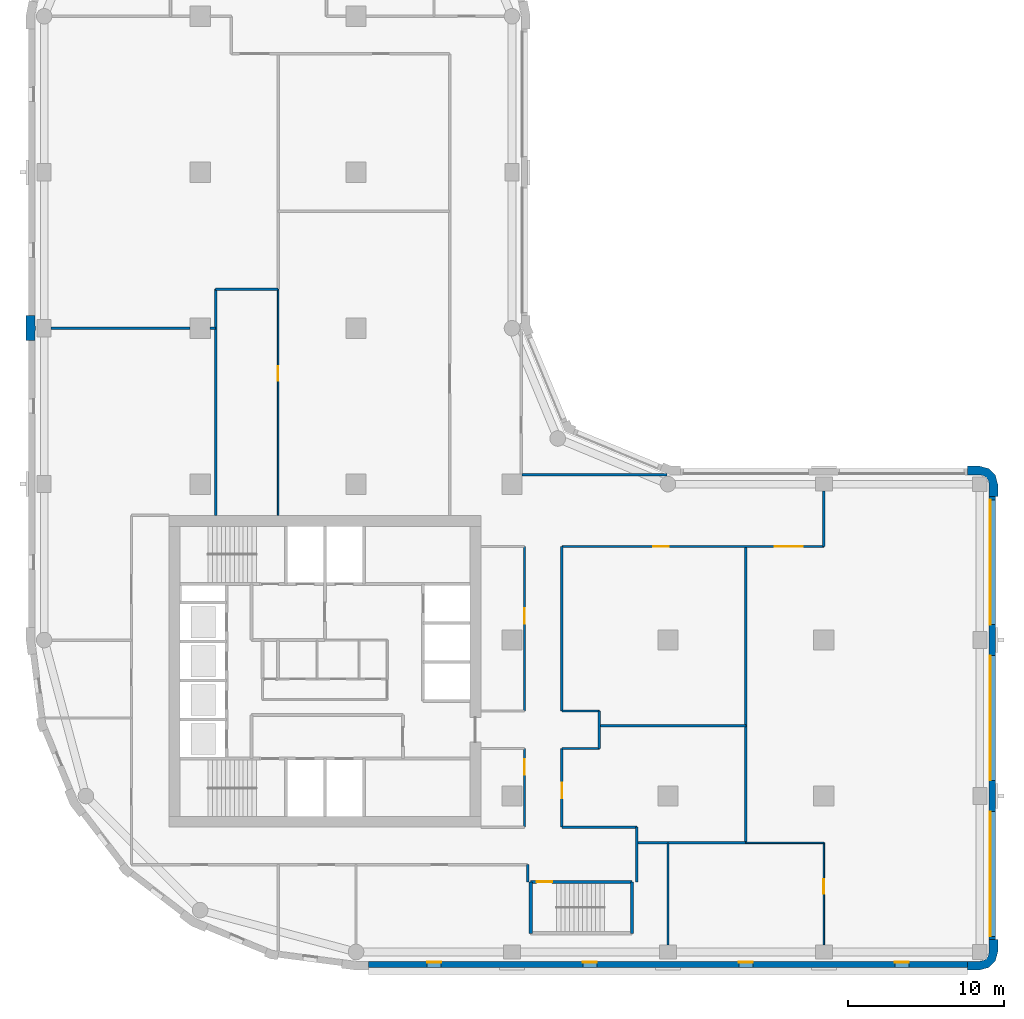
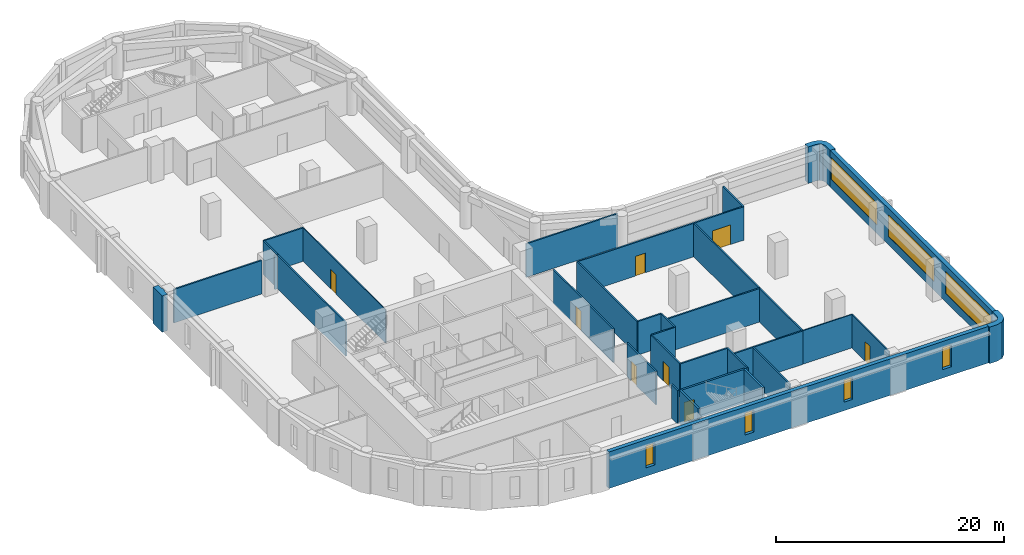
# One storey, part 4 of 9: 32 walls, 8 doors, 7 windows, 15 openings.
"""IFC4 building model written with IfcOpenShell, lengths in metres."""

from ifc_helpers import new_model, si_unit, direction, frame, frame_2d, origin, place, context, subcontext, project, spatial, polyline, rectangle, outline, extrude, material, layer, layer_set, type_object, element, fill, save


model = new_model("IFC4")

# Units and contexts
model_context = context("Model", 3, precision=1e-05, world=origin(), true_north=direction((0.0, 1.0)))
body_context = subcontext(model_context, "Body", "Model", "MODEL_VIEW")
ifc_project = project(units=[si_unit("LENGTHUNIT", "METRE"), si_unit("AREAUNIT", "SQUARE_METRE"), si_unit("VOLUMEUNIT", "CUBIC_METRE"), si_unit("PLANEANGLEUNIT", "RADIAN"), si_unit("MASSUNIT", "GRAM", prefix="KILO")], contexts=[model_context])

# Site, building, storey
site_placement = place(None, origin())
site = spatial("IfcSite", under=ifc_project, at=site_placement, CompositionType="ELEMENT")
building_placement = place(site_placement, origin())
building = spatial("IfcBuilding", under=site, at=building_placement, Name="Qaws Garden Tower", CompositionType="ELEMENT")
storey_placement = place(building_placement, frame((0.0, 0.0, 131.699951171875)))
storey = spatial("IfcBuildingStorey", under=building, at=storey_placement, Name="L31", CompositionType="ELEMENT", Elevation=131.699951171875)

# Walls
ifc_material_1 = material(Name="Clay facing brick masonry", Category="masonry")
ifc_layer_1 = layer(ifc_material_1, 0.550048828125)
ifc_layer_set_1 = layer_set([ifc_layer_1], Name="Clay facing brick masonry")
wall_type_1 = type_object("IfcWallType", Name="Brick corner pier 550 x 2400", PredefinedType="SOLIDWALL", material=ifc_layer_set_1)
placement = place(storey_placement, origin())
element("IfcWall", 1, at=placement, inside=storey, type_object=wall_type_1, Name="E-L31-pier-04", PredefinedType="SOLIDWALL", context=body_context, shape_type="SweptSolid", body=[
    extrude(outline(polyline([(59.199951171875, -1.0), (59.199951171875, -1.14990234375), (60.0, -1.14990234375), (60.574951171875, -0.995849609375), (60.995849609375, -0.574951171875), (61.14990234375, 0.0), (61.14990234375, 0.800048828125), (61.0, 0.800048828125), (60.60009765625, 0.800048828125), (60.60009765625, 0.0), (60.51953125, -0.300048828125), (60.300048828125, -0.51953125), (60.0, -0.60009765625), (59.199951171875, -0.60009765625), (59.199951171875, -1.0)])), origin(), (0.0, 0.0, 1.0), 3.900146484375),
])
element("IfcWall", 2, at=placement, inside=storey, type_object=wall_type_1, Name="E-L31-pier-07", PredefinedType="SOLIDWALL", context=body_context, shape_type="SweptSolid", body=[
    extrude(outline(polyline([(61.0, 29.199951171875), (61.14990234375, 29.199951171875), (61.14990234375, 30.0), (60.995849609375, 30.574951171875), (60.574951171875, 30.995849609375), (60.0, 31.14990234375), (59.199951171875, 31.14990234375), (59.199951171875, 31.0), (59.199951171875, 30.60009765625), (60.0, 30.60009765625), (60.300048828125, 30.51953125), (60.51953125, 30.300048828125), (60.60009765625, 30.0), (60.60009765625, 29.199951171875), (61.0, 29.199951171875)])), origin(), (0.0, 0.0, 1.0), 3.900146484375),
])

# Wall, openings, windows
ifc_material_2 = material(Name="Clay facing brick masonry", Category="masonry")
ifc_layer_2 = layer(ifc_material_2, 0.39990234375)
ifc_layer_set_2 = layer_set([ifc_layer_2], Name="Clay facing brick masonry")
wall_type_2 = type_object("IfcWallType", Name="Brick infill wall 400", PredefinedType="SOLIDWALL", material=ifc_layer_set_2)
wall_3_placement = place(storey_placement, frame((20.800048828125, -0.800048828125, 0.0), z_axis=(0.0, 0.0, 1.0), x_axis=(1.0, 0.0, 0.0)))
wall_3 = element("IfcWall", 3, at=wall_3_placement, inside=storey, type_object=wall_type_2, Name="E-L31-infill-00", PredefinedType="SOLIDWALL", context=body_context, shape_type="SweptSolid", body=[
    extrude(rectangle(XDim=38.39990234375, YDim=0.39990234375, at=frame_2d((19.199951171875, 0.0))), origin(), (0.0, 0.0, 1.0), 3.900146484375),
])
opening_1_placement = place(wall_3_placement, frame((3.75, 0.0, 0.89990234375)))
opening_1 = element("IfcOpeningElement", 4, at=opening_1_placement, cuts=wall_3, Name="Opening W09", PredefinedType="OPENING", context=body_context, shape_type="SweptSolid", body=[
    extrude(rectangle(XDim=0.89990234375, YDim=2.35009765625, at=frame_2d((0.449951171875, 1.175048828125))), frame((0.0, 0.2099609375, 0.0), z_axis=(0.0, -1.0, 0.0), x_axis=(1.0, 0.0, 0.0)), (0.0, 0.0, 1.0), 0.419921875),
])
opening_2_placement = place(wall_3_placement, frame((13.75, 0.0, 0.89990234375)))
opening_2 = element("IfcOpeningElement", 5, at=opening_2_placement, cuts=wall_3, Name="Opening W09", PredefinedType="OPENING", context=body_context, shape_type="SweptSolid", body=[
    extrude(rectangle(XDim=0.89990234375, YDim=2.35009765625, at=frame_2d((0.449951171875, 1.175048828125))), frame((0.0, 0.2099609375, 0.0), z_axis=(0.0, -1.0, 0.0), x_axis=(1.0, 0.0, 0.0)), (0.0, 0.0, 1.0), 0.419921875),
])
opening_3_placement = place(wall_3_placement, frame((23.75, 0.0, 0.89990234375)))
opening_3 = element("IfcOpeningElement", 6, at=opening_3_placement, cuts=wall_3, Name="Opening W09", PredefinedType="OPENING", context=body_context, shape_type="SweptSolid", body=[
    extrude(rectangle(XDim=0.89990234375, YDim=2.35009765625, at=frame_2d((0.449951171875, 1.175048828125))), frame((0.0, 0.2099609375, 0.0), z_axis=(0.0, -1.0, 0.0), x_axis=(1.0, 0.0, 0.0)), (0.0, 0.0, 1.0), 0.419921875),
])
opening_4_placement = place(wall_3_placement, frame((33.75, 0.0, 0.89990234375)))
opening_4 = element("IfcOpeningElement", 7, at=opening_4_placement, cuts=wall_3, Name="Opening W09", PredefinedType="OPENING", context=body_context, shape_type="SweptSolid", body=[
    extrude(rectangle(XDim=0.89990234375, YDim=2.35009765625, at=frame_2d((0.449951171875, 1.175048828125))), frame((0.0, 0.2099609375, 0.0), z_axis=(0.0, -1.0, 0.0), x_axis=(1.0, 0.0, 0.0)), (0.0, 0.0, 1.0), 0.419921875),
])
ifc_material_3 = material(Name="Aluminium framed window, clear glazing", Category="aluminium")
window_type_1 = type_object("IfcWindowType", Name="Slit window 900 x 2350", PartitioningType="SINGLE_PANEL", PredefinedType="WINDOW", material=ifc_material_3)
window_1_placement = place(opening_1_placement, origin())
window_1 = element("IfcWindow", 8, at=window_1_placement, inside=storey, type_object=window_type_1, Name="E-L31-window-00-0", OverallHeight=2.35009765625, OverallWidth=0.89990234375, PartitioningType="SINGLE_PANEL", PredefinedType="WINDOW", context=body_context, shape_type="SweptSolid", body=[
    extrude(rectangle(XDim=0.89990234375, YDim=2.35009765625, at=frame_2d((0.449951171875, 1.175048828125))), frame((0.0, 0.159912109375, 0.0), z_axis=(0.0, -1.0, 0.0), x_axis=(1.0, 0.0, 0.0)), (0.0, 0.0, 1.0), 0.06005859375),
])
fill(opening_1, window_1)
window_2_placement = place(opening_2_placement, origin())
window_2 = element("IfcWindow", 9, at=window_2_placement, inside=storey, type_object=window_type_1, Name="E-L31-window-01-0", OverallHeight=2.35009765625, OverallWidth=0.89990234375, PartitioningType="SINGLE_PANEL", PredefinedType="WINDOW", context=body_context, shape_type="SweptSolid", body=[
    extrude(rectangle(XDim=0.89990234375, YDim=2.35009765625, at=frame_2d((0.449951171875, 1.175048828125))), frame((0.0, 0.159912109375, 0.0), z_axis=(0.0, -1.0, 0.0), x_axis=(1.0, 0.0, 0.0)), (0.0, 0.0, 1.0), 0.06005859375),
])
fill(opening_2, window_2)
window_3_placement = place(opening_3_placement, origin())
window_3 = element("IfcWindow", 10, at=window_3_placement, inside=storey, type_object=window_type_1, Name="E-L31-window-02-0", OverallHeight=2.35009765625, OverallWidth=0.89990234375, PartitioningType="SINGLE_PANEL", PredefinedType="WINDOW", context=body_context, shape_type="SweptSolid", body=[
    extrude(rectangle(XDim=0.89990234375, YDim=2.35009765625, at=frame_2d((0.449951171875, 1.175048828125))), frame((0.0, 0.159912109375, 0.0), z_axis=(0.0, -1.0, 0.0), x_axis=(1.0, 0.0, 0.0)), (0.0, 0.0, 1.0), 0.06005859375),
])
fill(opening_3, window_3)
window_4_placement = place(opening_4_placement, origin())
window_4 = element("IfcWindow", 11, at=window_4_placement, inside=storey, type_object=window_type_1, Name="E-L31-window-03-0", OverallHeight=2.35009765625, OverallWidth=0.89990234375, PartitioningType="SINGLE_PANEL", PredefinedType="WINDOW", context=body_context, shape_type="SweptSolid", body=[
    extrude(rectangle(XDim=0.89990234375, YDim=2.35009765625, at=frame_2d((0.449951171875, 1.175048828125))), frame((0.0, 0.159912109375, 0.0), z_axis=(0.0, -1.0, 0.0), x_axis=(1.0, 0.0, 0.0)), (0.0, 0.0, 1.0), 0.06005859375),
])
fill(opening_4, window_4)

wall_4_placement = place(storey_placement, frame((60.800048828125, 0.800048828125, 0.0), z_axis=(0.0, 0.0, 1.0), x_axis=(0.0, 1.0, 0.0)))
wall_4 = element("IfcWall", 12, at=wall_4_placement, inside=storey, type_object=wall_type_2, Name="E-L31-infill-04", PredefinedType="SOLIDWALL", context=body_context, shape_type="SweptSolid", body=[
    extrude(rectangle(XDim=28.39990234375, YDim=0.39990234375, at=frame_2d((14.199951171875, 0.0))), origin(), (0.0, 0.0, 1.0), 3.900146484375),
])
opening_5_placement = place(wall_4_placement, frame((0.199951171875, 0.0, 0.89990234375)))
opening_5 = element("IfcOpeningElement", 13, at=opening_5_placement, cuts=wall_4, Name="Opening W01", PredefinedType="OPENING", context=body_context, shape_type="SweptSolid", body=[
    extrude(rectangle(XDim=8.0, YDim=2.35009765625, at=frame_2d((4.0, 1.175048828125))), frame((0.0, 0.2099609375, 0.0), z_axis=(0.0, -1.0, 0.0), x_axis=(1.0, 0.0, 0.0)), (0.0, 0.0, 1.0), 0.419921875),
])
opening_6_placement = place(wall_4_placement, frame((10.199951171875, 0.0, 0.89990234375)))
opening_6 = element("IfcOpeningElement", 14, at=opening_6_placement, cuts=wall_4, Name="Opening W01", PredefinedType="OPENING", context=body_context, shape_type="SweptSolid", body=[
    extrude(rectangle(XDim=8.0, YDim=2.35009765625, at=frame_2d((4.0, 1.175048828125))), frame((0.0, 0.2099609375, 0.0), z_axis=(0.0, -1.0, 0.0), x_axis=(1.0, 0.0, 0.0)), (0.0, 0.0, 1.0), 0.419921875),
])
opening_7_placement = place(wall_4_placement, frame((20.199951171875, 0.0, 0.89990234375)))
opening_7 = element("IfcOpeningElement", 15, at=opening_7_placement, cuts=wall_4, Name="Opening W01", PredefinedType="OPENING", context=body_context, shape_type="SweptSolid", body=[
    extrude(rectangle(XDim=8.0, YDim=2.35009765625, at=frame_2d((4.0, 1.175048828125))), frame((0.0, 0.2099609375, 0.0), z_axis=(0.0, -1.0, 0.0), x_axis=(1.0, 0.0, 0.0)), (0.0, 0.0, 1.0), 0.419921875),
])
ifc_material_4 = material(Name="Aluminium framed window, clear glazing", Category="aluminium")
window_type_2 = type_object("IfcWindowType", Name="Ribbon window 8000 x 2350", PartitioningType="DOUBLE_PANEL_VERTICAL", PredefinedType="WINDOW", material=ifc_material_4)
window_5_placement = place(opening_5_placement, origin())
window_5 = element("IfcWindow", 16, at=window_5_placement, inside=storey, type_object=window_type_2, Name="E-L31-window-04-0", OverallHeight=2.35009765625, OverallWidth=8.0, PartitioningType="SINGLE_PANEL", PredefinedType="WINDOW", context=body_context, shape_type="SweptSolid", body=[
    extrude(rectangle(XDim=8.0, YDim=2.35009765625, at=frame_2d((4.0, 1.175048828125))), frame((0.0, 0.159912109375, 0.0), z_axis=(0.0, -1.0, 0.0), x_axis=(1.0, 0.0, 0.0)), (0.0, 0.0, 1.0), 0.06005859375),
])
fill(opening_5, window_5)
window_6_placement = place(opening_6_placement, origin())
window_6 = element("IfcWindow", 17, at=window_6_placement, inside=storey, type_object=window_type_2, Name="E-L31-window-05-0", OverallHeight=2.35009765625, OverallWidth=8.0, PartitioningType="SINGLE_PANEL", PredefinedType="WINDOW", context=body_context, shape_type="SweptSolid", body=[
    extrude(rectangle(XDim=8.0, YDim=2.35009765625, at=frame_2d((4.0, 1.175048828125))), frame((0.0, 0.159912109375, 0.0), z_axis=(0.0, -1.0, 0.0), x_axis=(1.0, 0.0, 0.0)), (0.0, 0.0, 1.0), 0.06005859375),
])
fill(opening_6, window_6)
window_7_placement = place(opening_7_placement, origin())
window_7 = element("IfcWindow", 18, at=window_7_placement, inside=storey, type_object=window_type_2, Name="E-L31-window-06-0", OverallHeight=2.35009765625, OverallWidth=8.0, PartitioningType="SINGLE_PANEL", PredefinedType="WINDOW", context=body_context, shape_type="SweptSolid", body=[
    extrude(rectangle(XDim=8.0, YDim=2.35009765625, at=frame_2d((4.0, 1.175048828125))), frame((0.0, 0.159912109375, 0.0), z_axis=(0.0, -1.0, 0.0), x_axis=(1.0, 0.0, 0.0)), (0.0, 0.0, 1.0), 0.06005859375),
])
fill(opening_7, window_7)

# Wall
ifc_material_5 = material(Name="Clay facing brick masonry", Category="masonry")
ifc_layer_3 = layer(ifc_material_5, 0.550048828125)
ifc_layer_set_3 = layer_set([ifc_layer_3], Name="Clay facing brick masonry")
wall_type_3 = type_object("IfcWallType", Name="Brick pier 550 x 1600", PredefinedType="SOLIDWALL", material=ifc_layer_set_3)
element("IfcWall", 19, at=placement, inside=storey, type_object=wall_type_3, Name="E-L31-pier-23", PredefinedType="SOLIDWALL", context=body_context, shape_type="SweptSolid", body=[
    extrude(outline(polyline([(-0.60009765625, 39.199951171875), (-0.60009765625, 39.85009765625), (-0.550048828125, 39.85009765625), (-0.550048828125, 40.14990234375), (-0.60009765625, 40.14990234375), (-0.60009765625, 40.800048828125), (-1.0, 40.800048828125), (-1.14990234375, 40.800048828125), (-1.14990234375, 40.0), (-1.14990234375, 39.199951171875), (-1.0, 39.199951171875), (-0.60009765625, 39.199951171875)])), origin(), (0.0, 0.0, 1.0), 3.900146484375),
])

# Wall, opening, door
ifc_material_6 = material(Name="Concrete C70", Category="concrete")
ifc_layer_4 = layer(ifc_material_6, 0.199951171875)
ifc_layer_set_4 = layer_set([ifc_layer_4], Name="Concrete C70")
wall_type_4 = type_object("IfcWallType", Name="Core shaft wall 200 C70", PredefinedType="SHEAR", material=ifc_layer_set_4)
wall_6_placement = place(storey_placement, frame((31.199951171875, 4.5, 0.0), z_axis=(0.0, 0.0, 1.0), x_axis=(1.0, 0.0, 0.0)))
wall_6 = element("IfcWall", 20, at=wall_6_placement, inside=storey, type_object=wall_type_4, Name="Shaft wall", PredefinedType="SHEAR", context=body_context, shape_type="SweptSolid", body=[
    extrude(rectangle(XDim=6.5, YDim=0.199951171875, at=frame_2d((3.25, 0.0))), origin(), (0.0, 0.0, 1.0), 3.580078125),
])
opening_8_placement = place(wall_6_placement, frame((0.375, 0.0, 0.0)))
opening_8 = element("IfcOpeningElement", 21, at=opening_8_placement, cuts=wall_6, Name="Opening SD12", PredefinedType="OPENING", context=body_context, shape_type="SweptSolid", body=[
    extrude(rectangle(XDim=1.0, YDim=2.10009765625, at=frame_2d((0.5, 1.050048828125))), frame((0.0, 0.10986328125, 0.0), z_axis=(0.0, -1.0, 0.0), x_axis=(1.0, 0.0, 0.0)), (0.0, 0.0, 1.0), 0.219970703125),
])
ifc_material_7 = material(Name="Steel S235", Category="steel")
door_type_1 = type_object("IfcDoorType", Name="Stair door 1000x2100", OperationType="SINGLE_SWING_RIGHT", PredefinedType="DOOR", material=ifc_material_7)
door_1_placement = place(opening_8_placement, frame((1.0, 0.0, 0.0), z_axis=(0.0, 0.0, 1.0), x_axis=(-1.0, 0.0, 0.0)))
door_1 = element("IfcDoor", 22, at=door_1_placement, inside=storey, type_object=door_type_1, Name="Stair 5 door", OperationType="SINGLE_SWING_RIGHT", OverallHeight=2.10009765625, OverallWidth=1.0, PredefinedType="DOOR", context=body_context, shape_type="SweptSolid", body=[
    extrude(rectangle(XDim=1.0, YDim=2.10009765625, at=frame_2d((0.5, 1.050048828125))), frame((0.0, 0.02490234375, 0.0), z_axis=(0.0, -1.0, 0.0), x_axis=(1.0, 0.0, 0.0)), (0.0, 0.0, 1.0), 0.050048828125),
])
fill(opening_8, door_1)

# Walls
for number, where, z_axis, x_axis, name in (
    (23, (31.199951171875, 1.199951171875, 0.0), (0.0, 0.0, 1.0), (0.0, 1.0, 0.0), "Shaft wall"),
    (24, (37.699951171875, 1.199951171875, 0.0), (0.0, 0.0, 1.0), (0.0, 1.0, 0.0), "Shaft wall"),
):
    element("IfcWall", number, at=place(storey_placement, frame(where, z_axis=z_axis, x_axis=x_axis)), inside=storey, type_object=wall_type_4, Name=name, PredefinedType="SHEAR", context=body_context, shape_type="SweptSolid", body=[
        extrude(rectangle(XDim=3.300048828125, YDim=0.199951171875, at=frame_2d((1.64990234375, 0.0))), origin(), (0.0, 0.0, 1.0), 3.580078125),
    ])

# Wall, opening, door
ifc_material_8 = material(Name="Gypsum board partition")
ifc_layer_5 = layer(ifc_material_8, 0.10009765625)
ifc_layer_set_5 = layer_set([ifc_layer_5], Name="Gypsum board partition")
wall_type_5 = type_object("IfcWallType", Name="PARTITION 100", PredefinedType="PARTITIONING", material=ifc_layer_set_5)
wall_7_placement = place(storey_placement, frame((15.0, 28.0, 0.0), z_axis=(0.0, 0.0, 1.0), x_axis=(0.0, 1.0, 0.0)))
wall_7 = element("IfcWall", 25, at=wall_7_placement, inside=storey, type_object=wall_type_5, Name="O-L31-wall-001", PredefinedType="PARTITIONING", context=body_context, shape_type="SweptSolid", body=[
    extrude(rectangle(XDim=14.5, YDim=0.10009765625, at=frame_2d((7.25, 0.0))), origin(), (0.0, 0.0, 1.0), 3.580078125),
])
opening_9_placement = place(wall_7_placement, frame((8.625, 0.0, 0.0)))
opening_9 = element("IfcOpeningElement", 26, at=opening_9_placement, cuts=wall_7, Name="Opening B120", PredefinedType="OPENING", context=body_context, shape_type="SweptSolid", body=[
    extrude(rectangle(XDim=0.949951171875, YDim=2.10009765625, at=frame_2d((0.47509765625, 1.050048828125))), frame((0.0, 0.06005859375, 0.0), z_axis=(0.0, -1.0, 0.0), x_axis=(1.0, 0.0, 0.0)), (0.0, 0.0, 1.0), 0.1201171875),
])
ifc_material_9 = material(Name="Timber and glass door leaf", Category="wood")
door_type_2 = type_object("IfcDoorType", Name="GLAZED DOOR 950 X 2100", OperationType="SINGLE_SWING_LEFT", PredefinedType="DOOR", material=ifc_material_9)
door_2_placement = place(opening_9_placement, origin())
door_2 = element("IfcDoor", 27, at=door_2_placement, inside=storey, type_object=door_type_2, Name="O-L31-door-020", OperationType="SINGLE_SWING_LEFT", OverallHeight=2.10009765625, OverallWidth=0.949951171875, PredefinedType="DOOR", context=body_context, shape_type="SweptSolid", body=[
    extrude(rectangle(XDim=0.949951171875, YDim=2.10009765625, at=frame_2d((0.47509765625, 1.050048828125))), frame((0.0, 0.02490234375, 0.0), z_axis=(0.0, -1.0, 0.0), x_axis=(1.0, 0.0, 0.0)), (0.0, 0.0, 1.0), 0.050048828125),
])
fill(opening_9, door_2)

wall_8_placement = place(storey_placement, frame((50.0, 0.449951171875, 0.0), z_axis=(0.0, 0.0, 1.0), x_axis=(0.0, 1.0, 0.0)))
wall_8 = element("IfcWall", 28, at=wall_8_placement, inside=storey, type_object=wall_type_5, Name="O-L31-wall-002", PredefinedType="PARTITIONING", context=body_context, shape_type="SweptSolid", body=[
    extrude(rectangle(XDim=6.550048828125, YDim=0.10009765625, at=frame_2d((3.27490234375, 0.0))), origin(), (0.0, 0.0, 1.0), 3.580078125),
])
opening_10_placement = place(wall_8_placement, frame((3.27490234375, 0.0, 0.0)))
opening_10 = element("IfcOpeningElement", 29, at=opening_10_placement, cuts=wall_8, Name="Opening B119", PredefinedType="OPENING", context=body_context, shape_type="SweptSolid", body=[
    extrude(rectangle(XDim=0.949951171875, YDim=2.10009765625, at=frame_2d((0.47509765625, 1.050048828125))), frame((0.0, 0.06005859375, 0.0), z_axis=(0.0, -1.0, 0.0), x_axis=(1.0, 0.0, 0.0)), (0.0, 0.0, 1.0), 0.1201171875),
])
door_3_placement = place(opening_10_placement, origin())
door_3 = element("IfcDoor", 30, at=door_3_placement, inside=storey, type_object=door_type_2, Name="O-L31-door-019", OperationType="SINGLE_SWING_RIGHT", OverallHeight=2.10009765625, OverallWidth=0.949951171875, PredefinedType="DOOR", context=body_context, shape_type="SweptSolid", body=[
    extrude(rectangle(XDim=0.949951171875, YDim=2.10009765625, at=frame_2d((0.47509765625, 1.050048828125))), frame((0.0, 0.02490234375, 0.0), z_axis=(0.0, -1.0, 0.0), x_axis=(1.0, 0.0, 0.0)), (0.0, 0.0, 1.0), 0.050048828125),
])
fill(opening_10, door_3)

# Walls
wall_9_placement = place(storey_placement, frame((45.0, 7.0, 0.0), z_axis=(0.0, 0.0, 1.0), x_axis=(1.0, 0.0, 0.0)))
element("IfcWall", 31, at=wall_9_placement, inside=storey, type_object=wall_type_5, Name="O-L31-wall-003", PredefinedType="PARTITIONING", context=body_context, shape_type="SweptSolid", body=[
    extrude(rectangle(XDim=5.0, YDim=0.10009765625, at=frame_2d((2.5, 0.0))), origin(), (0.0, 0.0, 1.0), 3.580078125),
])
ifc_material_10 = material(Name="Gypsum board partition")
ifc_layer_6 = layer(ifc_material_10, 0.14990234375)
ifc_layer_set_6 = layer_set([ifc_layer_6], Name="Gypsum board partition")
wall_type_6 = type_object("IfcWallType", Name="PARTITION 150 EI 60", PredefinedType="PARTITIONING", material=ifc_layer_set_6)
wall_10_placement = place(storey_placement, frame((11.0, 28.0, 0.0), z_axis=(0.0, 0.0, 1.0), x_axis=(0.0, 1.0, 0.0)))
element("IfcWall", 32, at=wall_10_placement, inside=storey, type_object=wall_type_6, Name="O-L31-wall-006", PredefinedType="PARTITIONING", context=body_context, shape_type="SweptSolid", body=[
    extrude(rectangle(XDim=14.5, YDim=0.14990234375, at=frame_2d((7.25, 0.0))), origin(), (0.0, 0.0, 1.0), 3.580078125),
])

# Wall, opening, door
wall_11_placement = place(storey_placement, frame((30.800048828125, 8.0, 0.0), z_axis=(0.0, 0.0, 1.0), x_axis=(0.0, 1.0, 0.0)))
wall_11 = element("IfcWall", 33, at=wall_11_placement, inside=storey, type_object=wall_type_6, Name="O-L31-wall-015", PredefinedType="PARTITIONING", context=body_context, shape_type="SweptSolid", body=[
    extrude(rectangle(XDim=5.050048828125, YDim=0.14990234375, at=frame_2d((2.52490234375, 0.0))), origin(), (0.0, 0.0, 1.0), 3.580078125),
])
opening_11_placement = place(wall_11_placement, frame((3.35009765625, 0.0, 0.0)))
opening_11 = element("IfcOpeningElement", 34, at=opening_11_placement, cuts=wall_11, Name="Opening B116", PredefinedType="OPENING", context=body_context, shape_type="SweptSolid", body=[
    extrude(rectangle(XDim=1.0, YDim=2.10009765625, at=frame_2d((0.5, 1.050048828125))), frame((0.0, 0.0849609375, 0.0), z_axis=(0.0, -1.0, 0.0), x_axis=(1.0, 0.0, 0.0)), (0.0, 0.0, 1.0), 0.169921875),
])
ifc_material_11 = material(Name="Timber door leaf", Category="wood")
door_type_3 = type_object("IfcDoorType", Name="TENANCY ENTRANCE DOOR 1000 X 2100", OperationType="SINGLE_SWING_LEFT", PredefinedType="DOOR", material=ifc_material_11)
door_4_placement = place(opening_11_placement, origin())
door_4 = element("IfcDoor", 35, at=door_4_placement, inside=storey, type_object=door_type_3, Name="O-L31-door-016", OperationType="SINGLE_SWING_RIGHT", OverallHeight=2.10009765625, OverallWidth=1.0, PredefinedType="DOOR", context=body_context, shape_type="SweptSolid", body=[
    extrude(rectangle(XDim=1.0, YDim=2.10009765625, at=frame_2d((0.5, 1.050048828125))), frame((0.0, 0.02490234375, 0.0), z_axis=(0.0, -1.0, 0.0), x_axis=(1.0, 0.0, 0.0)), (0.0, 0.0, 1.0), 0.050048828125),
])
fill(opening_11, door_4)

wall_12_placement = place(storey_placement, frame((30.800048828125, 15.449951171875, 0.0), z_axis=(0.0, 0.0, 1.0), x_axis=(0.0, 1.0, 0.0)))
wall_12 = element("IfcWall", 36, at=wall_12_placement, inside=storey, type_object=wall_type_6, Name="O-L31-wall-016", PredefinedType="PARTITIONING", context=body_context, shape_type="SweptSolid", body=[
    extrude(rectangle(XDim=10.550048828125, YDim=0.14990234375, at=frame_2d((5.27490234375, 0.0))), origin(), (0.0, 0.0, 1.0), 3.580078125),
])
opening_12_placement = place(wall_12_placement, frame((5.60009765625, 0.0, 0.0)))
opening_12 = element("IfcOpeningElement", 37, at=opening_12_placement, cuts=wall_12, Name="Opening B115", PredefinedType="OPENING", context=body_context, shape_type="SweptSolid", body=[
    extrude(rectangle(XDim=1.0, YDim=2.10009765625, at=frame_2d((0.5, 1.050048828125))), frame((0.0, 0.0849609375, 0.0), z_axis=(0.0, -1.0, 0.0), x_axis=(1.0, 0.0, 0.0)), (0.0, 0.0, 1.0), 0.169921875),
])
door_5_placement = place(opening_12_placement, origin())
door_5 = element("IfcDoor", 38, at=door_5_placement, inside=storey, type_object=door_type_3, Name="O-L31-door-015", OperationType="SINGLE_SWING_RIGHT", OverallHeight=2.10009765625, OverallWidth=1.0, PredefinedType="DOOR", context=body_context, shape_type="SweptSolid", body=[
    extrude(rectangle(XDim=1.0, YDim=2.10009765625, at=frame_2d((0.5, 1.050048828125))), frame((0.0, 0.02490234375, 0.0), z_axis=(0.0, -1.0, 0.0), x_axis=(1.0, 0.0, 0.0)), (0.0, 0.0, 1.0), 0.050048828125),
])
fill(opening_12, door_5)

# Wall
wall_13_placement = place(storey_placement, frame((31.0, 4.5, 0.0), z_axis=(0.0, 0.0, 1.0), x_axis=(0.0, 1.0, 0.0)))
element("IfcWall", 39, at=wall_13_placement, inside=storey, type_object=wall_type_6, Name="O-L31-wall-017", PredefinedType="PARTITIONING", context=body_context, shape_type="SweptSolid", body=[
    extrude(rectangle(XDim=1.10009765625, YDim=0.14990234375, at=frame_2d((0.550048828125, 0.0))), origin(), (0.0, 0.0, 1.0), 3.580078125),
])

# Wall, opening, door
wall_14_placement = place(storey_placement, frame((33.199951171875, 8.0, 0.0), z_axis=(0.0, 0.0, 1.0), x_axis=(0.0, 1.0, 0.0)))
wall_14 = element("IfcWall", 40, at=wall_14_placement, inside=storey, type_object=wall_type_6, Name="O-L31-wall-018", PredefinedType="PARTITIONING", context=body_context, shape_type="SweptSolid", body=[
    extrude(rectangle(XDim=5.050048828125, YDim=0.14990234375, at=frame_2d((2.52490234375, 0.0))), origin(), (0.0, 0.0, 1.0), 3.580078125),
])
opening_13_placement = place(wall_14_placement, frame((1.85009765625, 0.0, 0.0)))
opening_13 = element("IfcOpeningElement", 41, at=opening_13_placement, cuts=wall_14, Name="Opening B117", PredefinedType="OPENING", context=body_context, shape_type="SweptSolid", body=[
    extrude(rectangle(XDim=1.0, YDim=2.10009765625, at=frame_2d((0.5, 1.050048828125))), frame((0.0, 0.0849609375, 0.0), z_axis=(0.0, -1.0, 0.0), x_axis=(1.0, 0.0, 0.0)), (0.0, 0.0, 1.0), 0.169921875),
])
door_6_placement = place(opening_13_placement, frame((1.0, 0.0, 0.0), z_axis=(0.0, 0.0, 1.0), x_axis=(-1.0, 0.0, 0.0)))
door_6 = element("IfcDoor", 42, at=door_6_placement, inside=storey, type_object=door_type_3, Name="O-L31-door-017", OperationType="SINGLE_SWING_LEFT", OverallHeight=2.10009765625, OverallWidth=1.0, PredefinedType="DOOR", context=body_context, shape_type="SweptSolid", body=[
    extrude(rectangle(XDim=1.0, YDim=2.10009765625, at=frame_2d((0.5, 1.050048828125))), frame((0.0, 0.02490234375, 0.0), z_axis=(0.0, -1.0, 0.0), x_axis=(1.0, 0.0, 0.0)), (0.0, 0.0, 1.0), 0.050048828125),
])
fill(opening_13, door_6)

# Walls
wall_15_placement = place(storey_placement, frame((33.199951171875, 15.449951171875, 0.0), z_axis=(0.0, 0.0, 1.0), x_axis=(0.0, 1.0, 0.0)))
element("IfcWall", 43, at=wall_15_placement, inside=storey, type_object=wall_type_6, Name="O-L31-wall-019", PredefinedType="PARTITIONING", context=body_context, shape_type="SweptSolid", body=[
    extrude(rectangle(XDim=10.550048828125, YDim=0.14990234375, at=frame_2d((5.27490234375, 0.0))), origin(), (0.0, 0.0, 1.0), 3.580078125),
])
wall_16_placement = place(storey_placement, frame((35.60009765625, 13.050048828125, 0.0), z_axis=(0.0, 0.0, 1.0), x_axis=(0.0, 1.0, 0.0)))
element("IfcWall", 44, at=wall_16_placement, inside=storey, type_object=wall_type_6, Name="O-L31-wall-020", PredefinedType="PARTITIONING", context=body_context, shape_type="SweptSolid", body=[
    extrude(rectangle(XDim=2.39990234375, YDim=0.14990234375, at=frame_2d((1.199951171875, 0.0))), origin(), (0.0, 0.0, 1.0), 3.580078125),
])
wall_17_placement = place(storey_placement, frame((38.0, 4.5, 0.0), z_axis=(0.0, 0.0, 1.0), x_axis=(0.0, 1.0, 0.0)))
element("IfcWall", 45, at=wall_17_placement, inside=storey, type_object=wall_type_6, Name="O-L31-wall-021", PredefinedType="PARTITIONING", context=body_context, shape_type="SweptSolid", body=[
    extrude(rectangle(XDim=3.5, YDim=0.14990234375, at=frame_2d((1.75, 0.0))), origin(), (0.0, 0.0, 1.0), 3.580078125),
])
wall_18_placement = place(storey_placement, frame((40.0, 0.449951171875, 0.0), z_axis=(0.0, 0.0, 1.0), x_axis=(0.0, 1.0, 0.0)))
element("IfcWall", 46, at=wall_18_placement, inside=storey, type_object=wall_type_6, Name="O-L31-wall-022", PredefinedType="PARTITIONING", context=body_context, shape_type="SweptSolid", body=[
    extrude(rectangle(XDim=6.550048828125, YDim=0.14990234375, at=frame_2d((3.27490234375, 0.0))), origin(), (0.0, 0.0, 1.0), 3.580078125),
])
wall_19_placement = place(storey_placement, frame((45.0, 7.0, 0.0), z_axis=(0.0, 0.0, 1.0), x_axis=(0.0, 1.0, 0.0)))
element("IfcWall", 47, at=wall_19_placement, inside=storey, type_object=wall_type_6, Name="O-L31-wall-023", PredefinedType="PARTITIONING", context=body_context, shape_type="SweptSolid", body=[
    extrude(rectangle(XDim=19.0, YDim=0.14990234375, at=frame_2d((9.5, 0.0))), origin(), (0.0, 0.0, 1.0), 3.580078125),
])
wall_20_placement = place(storey_placement, frame((50.0, 26.0, 0.0), z_axis=(0.0, 0.0, 1.0), x_axis=(0.0, 1.0, 0.0)))
element("IfcWall", 48, at=wall_20_placement, inside=storey, type_object=wall_type_6, Name="O-L31-wall-024", PredefinedType="PARTITIONING", context=body_context, shape_type="SweptSolid", body=[
    extrude(rectangle(XDim=3.550048828125, YDim=0.14990234375, at=frame_2d((1.77490234375, 0.0))), origin(), (0.0, 0.0, 1.0), 3.580078125),
])
wall_21_placement = place(storey_placement, frame((38.0, 7.0, 0.0), z_axis=(0.0, 0.0, 1.0), x_axis=(1.0, 0.0, 0.0)))
element("IfcWall", 49, at=wall_21_placement, inside=storey, type_object=wall_type_6, Name="O-L31-wall-026", PredefinedType="PARTITIONING", context=body_context, shape_type="SweptSolid", body=[
    extrude(rectangle(XDim=7.0, YDim=0.14990234375, at=frame_2d((3.5, 0.0))), origin(), (0.0, 0.0, 1.0), 3.580078125),
])
wall_22_placement = place(storey_placement, frame((33.199951171875, 8.0, 0.0), z_axis=(0.0, 0.0, 1.0), x_axis=(1.0, 0.0, 0.0)))
element("IfcWall", 50, at=wall_22_placement, inside=storey, type_object=wall_type_6, Name="O-L31-wall-028", PredefinedType="PARTITIONING", context=body_context, shape_type="SweptSolid", body=[
    extrude(rectangle(XDim=4.800048828125, YDim=0.14990234375, at=frame_2d((2.39990234375, 0.0))), origin(), (0.0, 0.0, 1.0), 3.580078125),
])
wall_23_placement = place(storey_placement, frame((33.199951171875, 13.050048828125, 0.0), z_axis=(0.0, 0.0, 1.0), x_axis=(1.0, 0.0, 0.0)))
element("IfcWall", 51, at=wall_23_placement, inside=storey, type_object=wall_type_6, Name="O-L31-wall-030", PredefinedType="PARTITIONING", context=body_context, shape_type="SweptSolid", body=[
    extrude(rectangle(XDim=2.400146484375, YDim=0.14990234375, at=frame_2d((1.2001953125, 0.0))), origin(), (0.0, 0.0, 1.0), 3.580078125),
])
wall_24_placement = place(storey_placement, frame((35.60009765625, 14.5, 0.0), z_axis=(0.0, 0.0, 1.0), x_axis=(1.0, 0.0, 0.0)))
element("IfcWall", 52, at=wall_24_placement, inside=storey, type_object=wall_type_6, Name="O-L31-wall-031", PredefinedType="PARTITIONING", context=body_context, shape_type="SweptSolid", body=[
    extrude(rectangle(XDim=9.39990234375, YDim=0.14990234375, at=frame_2d((4.699951171875, 0.0))), origin(), (0.0, 0.0, 1.0), 3.580078125),
])
wall_25_placement = place(storey_placement, frame((33.199951171875, 15.449951171875, 0.0), z_axis=(0.0, 0.0, 1.0), x_axis=(1.0, 0.0, 0.0)))
element("IfcWall", 53, at=wall_25_placement, inside=storey, type_object=wall_type_6, Name="O-L31-wall-034", PredefinedType="PARTITIONING", context=body_context, shape_type="SweptSolid", body=[
    extrude(rectangle(XDim=2.400146484375, YDim=0.14990234375, at=frame_2d((1.2001953125, 0.0))), origin(), (0.0, 0.0, 1.0), 3.580078125),
])

# Wall, openings, doors
wall_26_placement = place(storey_placement, frame((33.199951171875, 26.0, 0.0), z_axis=(0.0, 0.0, 1.0), x_axis=(1.0, 0.0, 0.0)))
wall_26 = element("IfcWall", 54, at=wall_26_placement, inside=storey, type_object=wall_type_6, Name="O-L31-wall-037", PredefinedType="PARTITIONING", context=body_context, shape_type="SweptSolid", body=[
    extrude(rectangle(XDim=16.800048828125, YDim=0.14990234375, at=frame_2d((8.39990234375, 0.0))), origin(), (0.0, 0.0, 1.0), 3.580078125),
])
opening_14_placement = place(wall_26_placement, frame((5.85009765625, 0.0, 0.0)))
opening_14 = element("IfcOpeningElement", 55, at=opening_14_placement, cuts=wall_26, Name="Opening B114", PredefinedType="OPENING", context=body_context, shape_type="SweptSolid", body=[
    extrude(rectangle(XDim=1.0, YDim=2.10009765625, at=frame_2d((0.5, 1.050048828125))), frame((0.0, 0.0849609375, 0.0), z_axis=(0.0, -1.0, 0.0), x_axis=(1.0, 0.0, 0.0)), (0.0, 0.0, 1.0), 0.169921875),
])
opening_15_placement = place(wall_26_placement, frame((13.64990234375, 0.0, 0.0)))
opening_15 = element("IfcOpeningElement", 56, at=opening_15_placement, cuts=wall_26, Name="Opening B118", PredefinedType="OPENING", context=body_context, shape_type="SweptSolid", body=[
    extrude(rectangle(XDim=1.800048828125, YDim=2.10009765625, at=frame_2d((0.89990234375, 1.050048828125))), frame((0.0, 0.0849609375, 0.0), z_axis=(0.0, -1.0, 0.0), x_axis=(1.0, 0.0, 0.0)), (0.0, 0.0, 1.0), 0.169921875),
])
ifc_material_12 = material(Name="Timber door leaf", Category="wood")
door_type_4 = type_object("IfcDoorType", Name="DOUBLE DOOR 1800 X 2100", OperationType="DOUBLE_DOOR_SINGLE_SWING", PredefinedType="DOOR", material=ifc_material_12)
door_7_placement = place(opening_15_placement, frame((1.800048828125, 0.0, 0.0), z_axis=(0.0, 0.0, 1.0), x_axis=(-1.0, 0.0, 0.0)))
door_7 = element("IfcDoor", 57, at=door_7_placement, inside=storey, type_object=door_type_4, Name="O-L31-door-018", OperationType="DOUBLE_DOOR_SINGLE_SWING", OverallHeight=2.10009765625, OverallWidth=1.800048828125, PredefinedType="DOOR", context=body_context, shape_type="SweptSolid", body=[
    extrude(rectangle(XDim=1.800048828125, YDim=2.10009765625, at=frame_2d((0.89990234375, 1.050048828125))), frame((0.0, 0.02490234375, 0.0), z_axis=(0.0, -1.0, 0.0), x_axis=(1.0, 0.0, 0.0)), (0.0, 0.0, 1.0), 0.050048828125),
])
fill(opening_15, door_7)
door_8_placement = place(opening_14_placement, frame((1.0, 0.0, 0.0), z_axis=(0.0, 0.0, 1.0), x_axis=(-1.0, 0.0, 0.0)))
door_8 = element("IfcDoor", 58, at=door_8_placement, inside=storey, type_object=door_type_3, Name="O-L31-door-014", OperationType="SINGLE_SWING_RIGHT", OverallHeight=2.10009765625, OverallWidth=1.0, PredefinedType="DOOR", context=body_context, shape_type="SweptSolid", body=[
    extrude(rectangle(XDim=1.0, YDim=2.10009765625, at=frame_2d((0.5, 1.050048828125))), frame((0.0, 0.02490234375, 0.0), z_axis=(0.0, -1.0, 0.0), x_axis=(1.0, 0.0, 0.0)), (0.0, 0.0, 1.0), 0.050048828125),
])
fill(opening_14, door_8)

# Walls
wall_27_placement = place(storey_placement, frame((30.64990234375, 30.60009765625, 0.0), z_axis=(0.0, 0.0, 1.0), x_axis=(1.0, 0.0, 0.0)))
element("IfcWall", 59, at=wall_27_placement, inside=storey, type_object=wall_type_6, Name="O-L31-wall-039", PredefinedType="PARTITIONING", context=body_context, shape_type="SweptSolid", body=[
    extrude(rectangle(XDim=9.288330078125, YDim=0.14990234375, at=frame_2d((4.64404296875, 0.0))), origin(), (0.0, 0.0, 1.0), 3.580078125),
])
wall_28_placement = place(storey_placement, frame((0.449951171875, 40.0, 0.0), z_axis=(0.0, 0.0, 1.0), x_axis=(1.0, 0.0, 0.0)))
element("IfcWall", 60, at=wall_28_placement, inside=storey, type_object=wall_type_6, Name="O-L31-wall-040", PredefinedType="PARTITIONING", context=body_context, shape_type="SweptSolid", body=[
    extrude(rectangle(XDim=8.900146484375, YDim=0.14990234375, at=frame_2d((4.4501953125, 0.0))), origin(), (0.0, 0.0, 1.0), 3.580078125),
])
wall_29_placement = place(storey_placement, frame((10.64990234375, 40.0, 0.0), z_axis=(0.0, 0.0, 1.0), x_axis=(1.0, 0.0, 0.0)))
element("IfcWall", 61, at=wall_29_placement, inside=storey, type_object=wall_type_6, Name="O-L31-wall-041", PredefinedType="PARTITIONING", context=body_context, shape_type="SweptSolid", body=[
    extrude(rectangle(XDim=0.35009765625, YDim=0.14990234375, at=frame_2d((0.175048828125, 0.0))), origin(), (0.0, 0.0, 1.0), 3.580078125),
])
wall_30_placement = place(storey_placement, frame((11.0, 42.5, 0.0), z_axis=(0.0, 0.0, 1.0), x_axis=(1.0, 0.0, 0.0)))
element("IfcWall", 62, at=wall_30_placement, inside=storey, type_object=wall_type_6, Name="O-L31-wall-042", PredefinedType="PARTITIONING", context=body_context, shape_type="SweptSolid", body=[
    extrude(rectangle(XDim=4.0, YDim=0.14990234375, at=frame_2d((2.0, 0.0))), origin(), (0.0, 0.0, 1.0), 3.580078125),
])

save(model, "model.ifc")
